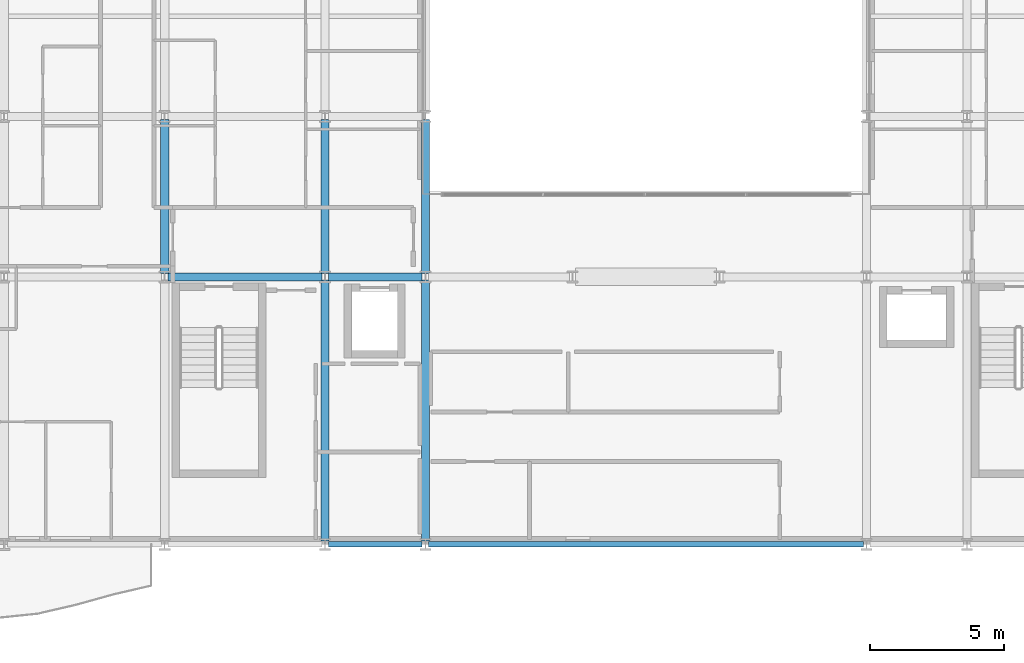
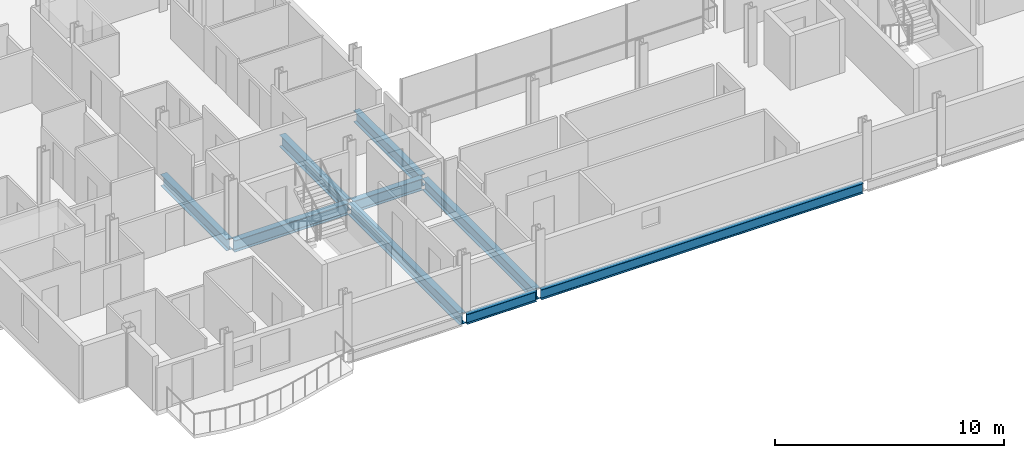
# One storey, part 3 of 41: 9 beams.
"""IFC4 building model written with IfcOpenShell, lengths in metres."""

from ifc_helpers import new_model, si_unit, direction, frame, origin, origin_2d, place, context, subcontext, project, spatial, i_section, extrude, material, material_profile, profile_set, type_object, element, save


model = new_model("IFC4")

# Units and contexts
model_context = context("Model", 3, precision=1e-05, world=origin(), true_north=direction((0.0, 1.0)))
body_context = subcontext(model_context, "Body", "Model", "MODEL_VIEW")
ifc_project = project(units=[si_unit("LENGTHUNIT", "METRE"), si_unit("AREAUNIT", "SQUARE_METRE"), si_unit("VOLUMEUNIT", "CUBIC_METRE"), si_unit("PLANEANGLEUNIT", "RADIAN"), si_unit("MASSUNIT", "GRAM", prefix="KILO")], contexts=[model_context])

# Site, building, storey
site_placement = place(None, origin())
site = spatial("IfcSite", under=ifc_project, at=site_placement, CompositionType="ELEMENT")
building_placement = place(site_placement, origin())
building = spatial("IfcBuilding", under=site, at=building_placement, Name="Brevholm Reach", CompositionType="ELEMENT")
storey_placement = place(building_placement, frame((0.0, 0.0, 68.300048828125)))
storey = spatial("IfcBuildingStorey", under=building, at=storey_placement, Name="L19", CompositionType="ELEMENT", Elevation=68.300048828125)

# Beams
ifc_material_1 = material(Name="Structural Steel S355J2", Category="steel")
ifc_material_profile_1 = material_profile(ifc_material_1, i_section(OverallWidth=0.210693359375, OverallDepth=0.53955078125, WebThickness=0.01171875, FlangeThickness=0.018798828125, FilletRadius=0.0126953125, at=origin_2d()), Name="UKB 533x210x109")
ifc_profile_set_1 = profile_set([ifc_material_profile_1], Name="Structural Steel S355J2")
beam_type_1 = type_object("IfcBeamType", Name="BM-SP539", PredefinedType="SPANDREL", material=ifc_profile_set_1)
beam_1_placement = place(storey_placement, frame((18.1201171875, 0.0, -0.499755859375), z_axis=(1.0, 0.0, 0.0), x_axis=(0.0, 1.0, 0.0)))
element("IfcBeam", 1, at=beam_1_placement, inside=storey, type_object=beam_type_1, Name="L19 SP-01B Framing Beam", PredefinedType="SPANDREL", context=body_context, shape_type="SweptSolid", body=[
    extrude(i_section(OverallWidth=0.210693359375, OverallDepth=0.53955078125, WebThickness=0.01171875, FlangeThickness=0.018798828125, FilletRadius=0.0126953125, at=origin_2d()), origin(), (0.0, 0.0, 1.0), 3.509765625),
])
beam_2_placement = place(storey_placement, frame((21.8701171875, 0.0, -0.499755859375), z_axis=(1.0, 0.0, 0.0), x_axis=(0.0, 1.0, 0.0)))
element("IfcBeam", 2, at=beam_2_placement, inside=storey, type_object=beam_type_1, Name="L19 SP-01B Framing Beam", PredefinedType="SPANDREL", context=body_context, shape_type="SweptSolid", body=[
    extrude(i_section(OverallWidth=0.210693359375, OverallDepth=0.53955078125, WebThickness=0.01171875, FlangeThickness=0.018798828125, FilletRadius=0.0126953125, at=origin_2d()), origin(), (0.0, 0.0, 1.0), 16.259765625),
])
ifc_material_2 = material(Name="Structural Steel S355J2", Category="steel")
ifc_material_profile_2 = material_profile(ifc_material_2, i_section(OverallWidth=0.30712890625, OverallDepth=0.6201171875, WebThickness=0.01416015625, FlangeThickness=0.023681640625, FilletRadius=0.0166015625, at=origin_2d()), Name="UKB 610x305x179")
ifc_profile_set_2 = profile_set([ifc_material_profile_2], Name="Structural Steel S355J2")
beam_type_2 = type_object("IfcBeamType", Name="BM-UKB610H", PredefinedType="USERDEFINED", material=ifc_profile_set_2)
beam_3_placement = place(storey_placement, frame((12.1201171875, 10.0, -0.5400390625), z_axis=(1.0, 0.0, 0.0), x_axis=(0.0, 1.0, 0.0)))
element("IfcBeam", 3, at=beam_3_placement, inside=storey, type_object=beam_type_2, Name="L19 G-06 Framing Beam", ObjectType="GIRDER", PredefinedType="USERDEFINED", context=body_context, shape_type="SweptSolid", body=[
    extrude(i_section(OverallWidth=0.30712890625, OverallDepth=0.6201171875, WebThickness=0.01416015625, FlangeThickness=0.023681640625, FilletRadius=0.0166015625, at=origin_2d()), origin(), (0.0, 0.0, 1.0), 5.759765625),
])
beam_4_placement = place(storey_placement, frame((18.1201171875, 10.0, -0.5400390625), z_axis=(1.0, 0.0, 0.0), x_axis=(0.0, 1.0, 0.0)))
element("IfcBeam", 4, at=beam_4_placement, inside=storey, type_object=beam_type_2, Name="L19 G-06 Framing Beam", ObjectType="GIRDER", PredefinedType="USERDEFINED", context=body_context, shape_type="SweptSolid", body=[
    extrude(i_section(OverallWidth=0.30712890625, OverallDepth=0.6201171875, WebThickness=0.01416015625, FlangeThickness=0.023681640625, FilletRadius=0.0166015625, at=origin_2d()), origin(), (0.0, 0.0, 1.0), 3.509765625),
])
beam_5_placement = place(storey_placement, frame((12.0, 10.1201171875, -0.5400390625), z_axis=(0.0, 1.0, 0.0), x_axis=(-1.0, 0.0, 0.0)))
element("IfcBeam", 5, at=beam_5_placement, inside=storey, type_object=beam_type_2, Name="L19 G-06 Framing Beam", ObjectType="GIRDER", PredefinedType="USERDEFINED", context=body_context, shape_type="SweptSolid", body=[
    extrude(i_section(OverallWidth=0.30712890625, OverallDepth=0.6201171875, WebThickness=0.01416015625, FlangeThickness=0.023681640625, FilletRadius=0.0166015625, at=origin_2d()), origin(), (0.0, 0.0, 1.0), 5.759765625),
])
beam_6_placement = place(storey_placement, frame((18.0, 0.1201171875, -0.5400390625), z_axis=(0.0, 1.0, 0.0), x_axis=(-1.0, 0.0, 0.0)))
element("IfcBeam", 6, at=beam_6_placement, inside=storey, type_object=beam_type_2, Name="L19 G-06 Framing Beam", ObjectType="GIRDER", PredefinedType="USERDEFINED", context=body_context, shape_type="SweptSolid", body=[
    extrude(i_section(OverallWidth=0.30712890625, OverallDepth=0.6201171875, WebThickness=0.01416015625, FlangeThickness=0.023681640625, FilletRadius=0.0166015625, at=origin_2d()), origin(), (0.0, 0.0, 1.0), 9.759765625),
])
beam_7_placement = place(storey_placement, frame((18.0, 10.1201171875, -0.5400390625), z_axis=(0.0, 1.0, 0.0), x_axis=(-1.0, 0.0, 0.0)))
element("IfcBeam", 7, at=beam_7_placement, inside=storey, type_object=beam_type_2, Name="L19 G-06 Framing Beam", ObjectType="GIRDER", PredefinedType="USERDEFINED", context=body_context, shape_type="SweptSolid", body=[
    extrude(i_section(OverallWidth=0.30712890625, OverallDepth=0.6201171875, WebThickness=0.01416015625, FlangeThickness=0.023681640625, FilletRadius=0.0166015625, at=origin_2d()), origin(), (0.0, 0.0, 1.0), 5.759765625),
])
beam_8_placement = place(storey_placement, frame((21.75, 0.1201171875, -0.5400390625), z_axis=(0.0, 1.0, 0.0), x_axis=(-1.0, 0.0, 0.0)))
element("IfcBeam", 8, at=beam_8_placement, inside=storey, type_object=beam_type_2, Name="L19 G-06 Framing Beam", ObjectType="GIRDER", PredefinedType="USERDEFINED", context=body_context, shape_type="SweptSolid", body=[
    extrude(i_section(OverallWidth=0.30712890625, OverallDepth=0.6201171875, WebThickness=0.01416015625, FlangeThickness=0.023681640625, FilletRadius=0.0166015625, at=origin_2d()), origin(), (0.0, 0.0, 1.0), 9.759765625),
])
beam_9_placement = place(storey_placement, frame((21.75, 10.1201171875, -0.5400390625), z_axis=(0.0, 1.0, 0.0), x_axis=(-1.0, 0.0, 0.0)))
element("IfcBeam", 9, at=beam_9_placement, inside=storey, type_object=beam_type_2, Name="L19 G-06 Framing Beam", ObjectType="GIRDER", PredefinedType="USERDEFINED", context=body_context, shape_type="SweptSolid", body=[
    extrude(i_section(OverallWidth=0.30712890625, OverallDepth=0.6201171875, WebThickness=0.01416015625, FlangeThickness=0.023681640625, FilletRadius=0.0166015625, at=origin_2d()), origin(), (0.0, 0.0, 1.0), 5.759765625),
])

save(model, "model.ifc")
